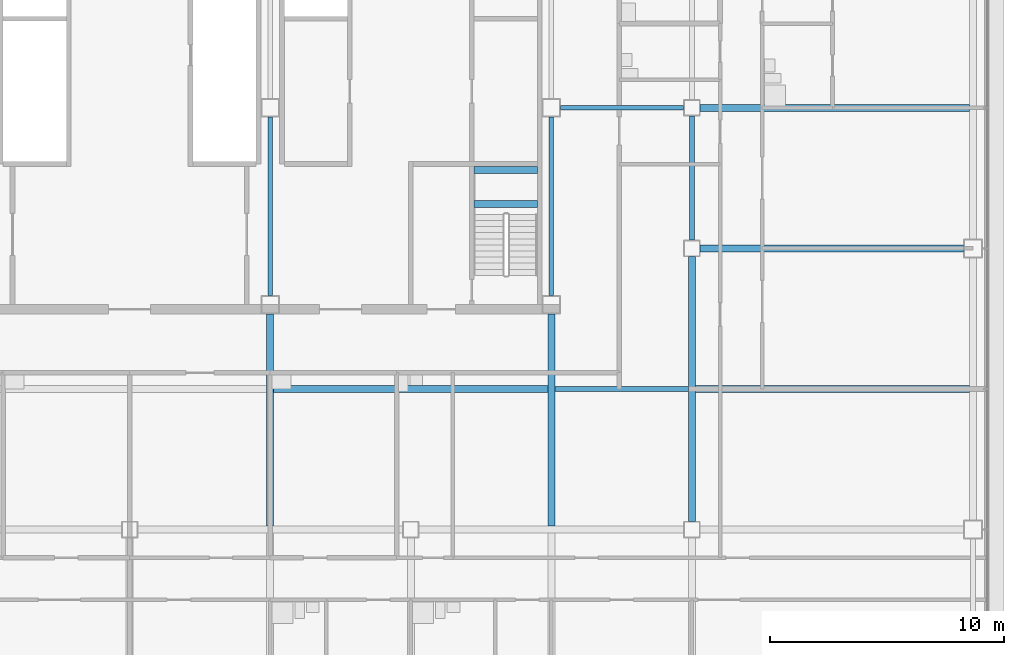
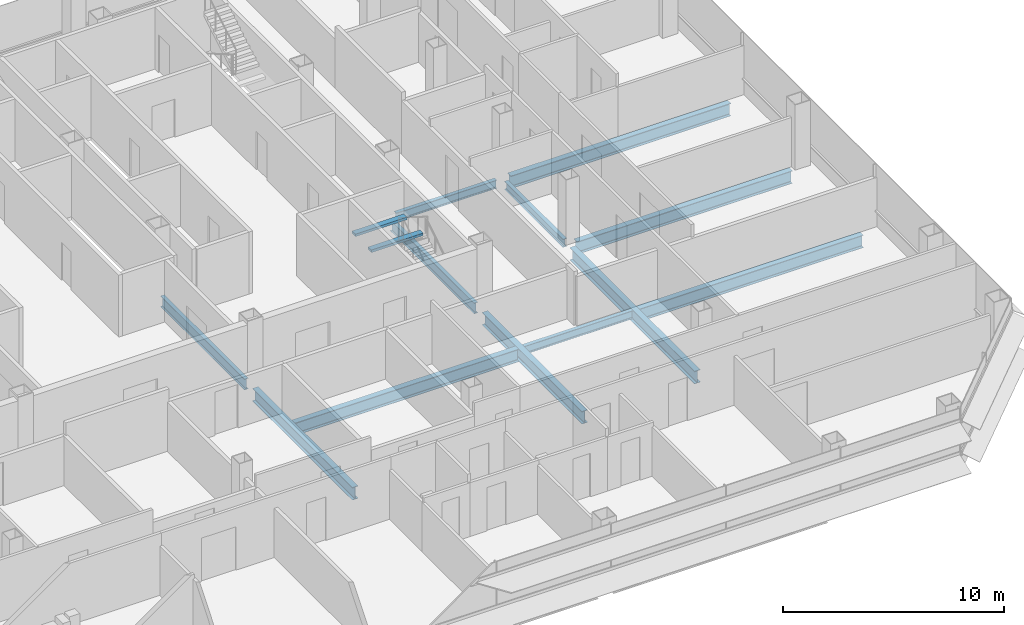
# One storey, part 10 of 25: 14 beams.
"""IFC4 building model written with IfcOpenShell, lengths in metres."""

import ifcopenshell
import ifcopenshell.guid

model = None  # the IFC model being written
_history = None  # IfcOwnerHistory: only IFC2X3 demands one
_inside = {}  # id of a spatial element -> (the spatial element, [elements in it])
_under = {}  # id of a project, library or spatial element -> (it, [spatial elements below it])
_declared = {}  # id of a project -> (the project, [libraries it declares])
_typed = {}  # id of a type object -> (the type object, [elements of that type])
_made_of = {}  # id of a material, layer set ... -> (it, [elements and type objects made of it])


def new_model(schema):
    """Start an empty IFC model of exactly this schema.

    Asked for "IFC4X3", IfcOpenShell would pick the latest addendum, in which some entities
    have other attributes; the version numbers below select the first issue.
    IFC2X3 requires an IfcOwnerHistory on every rooted entity: one is made here for all.
    """
    global model, _history
    if schema == "IFC4X3":
        model = ifcopenshell.file(schema_version=(4, 3, 0, 0))
    else:
        model = ifcopenshell.file(schema=schema)
    _inside.clear()
    _under.clear()
    _declared.clear()
    _typed.clear()
    _made_of.clear()
    _history = None
    if model.schema == "IFC2X3":
        org = make("IfcOrganization", Name="unknown")
        user = make(
            "IfcPersonAndOrganization",
            ThePerson=make("IfcPerson", FamilyName="unknown"),
            TheOrganization=org,
        )
        app = make(
            "IfcApplication",
            ApplicationDeveloper=org,
            Version="unknown",
            ApplicationFullName="unknown",
            ApplicationIdentifier="unknown",
        )
        _history = make(
            "IfcOwnerHistory",
            OwningUser=user,
            OwningApplication=app,
            ChangeAction="ADDED",
            CreationDate=0,
        )
    return model


def make(cls, **values):
    """One entity of the class cls with the attributes given. An attribute that is None is left unset."""
    return model.create_entity(
        cls, **{name: value for name, value in values.items() if value is not None}
    )


def rooted(cls, **values):
    """An entity with a GlobalId (a new one), such as an element, a storey or a relation."""
    return make(cls, GlobalId=ifcopenshell.guid.new(), OwnerHistory=_history, **values)


def si_unit(unit_type, name, prefix=None):
    """IfcSIUnit, for example si_unit("LENGTHUNIT", "METRE", prefix="MILLI")."""
    return make("IfcSIUnit", UnitType=unit_type, Prefix=prefix, Name=name)


def assignment(units):
    """IfcUnitAssignment: the units of a project."""
    return None if units is None else make("IfcUnitAssignment", Units=units)


def point(xyz):
    """IfcCartesianPoint."""
    return None if xyz is None else make("IfcCartesianPoint", Coordinates=xyz)


def direction(xyz):
    """IfcDirection."""
    return None if xyz is None else make("IfcDirection", DirectionRatios=xyz)


def frame(location, z_axis=None, x_axis=None):
    """IfcAxis2Placement3D, a coordinate frame: its origin and axes. An axis left out is left unset."""
    return make(
        "IfcAxis2Placement3D",
        Location=point(location),
        Axis=direction(z_axis),
        RefDirection=direction(x_axis),
    )


def frame_2d(location, x_axis=None):
    """IfcAxis2Placement2D, a coordinate frame in the plane: its origin and x axis."""
    return make(
        "IfcAxis2Placement2D", Location=point(location), RefDirection=direction(x_axis)
    )


def origin():
    """The frame at (0, 0, 0) with its axes left unset."""
    return frame((0.0, 0.0, 0.0))


def origin_2d():
    """The frame at (0, 0) in the plane with its x axis left unset."""
    return frame_2d((0.0, 0.0))


def place(relative_to, where):
    """IfcLocalPlacement: puts the frame where relative to a parent placement (None: the world)."""
    return make(
        "IfcLocalPlacement", PlacementRelTo=relative_to, RelativePlacement=where
    )


def context(
    kind, dimensions, precision=None, world=None, true_north=None, identifier=None
):
    """IfcGeometricRepresentationContext, for example the 3D "Model" context."""
    return make(
        "IfcGeometricRepresentationContext",
        ContextIdentifier=identifier,
        ContextType=kind,
        CoordinateSpaceDimension=dimensions,
        Precision=precision,
        WorldCoordinateSystem=world,
        TrueNorth=true_north,
    )


def subcontext(parent, identifier, kind, view, scale=None):
    """IfcGeometricRepresentationSubContext, for example "Body" below "Model"."""
    return make(
        "IfcGeometricRepresentationSubContext",
        ContextIdentifier=identifier,
        ContextType=kind,
        ParentContext=parent,
        TargetScale=scale,
        TargetView=view,
    )


def project(units=None, contexts=None):
    """IfcProject with its units and contexts."""
    return rooted(
        "IfcProject",
        Name="project",
        RepresentationContexts=contexts,
        UnitsInContext=assignment(units),
    )


def spatial(cls, under=None, at=None, **own):
    """A site, building, storey or space (cls), placed at a placement, below another one or the project."""
    s = rooted(cls, ObjectPlacement=at, **own)
    if under is not None:
        _under.setdefault(under.id(), (under, []))[1].append(s)
    return s


def profile(cls, at=None, kind="AREA", **sizes):
    """A parametric profile (cls). Its sizes go by their IFC names, for example OverallWidth=200.0."""
    return make(cls, ProfileType=kind, Position=at, **sizes)


def rectangle(**sizes):
    """IfcRectangleProfileDef."""
    return profile("IfcRectangleProfileDef", **sizes)


def i_section(**sizes):
    """IfcIShapeProfileDef."""
    return profile("IfcIShapeProfileDef", **sizes)


def extrude(swept, where, along, depth):
    """IfcExtrudedAreaSolid: the profile swept, set in the frame where, extruded along a direction by depth."""
    return make(
        "IfcExtrudedAreaSolid",
        SweptArea=swept,
        Position=where,
        ExtrudedDirection=direction(along),
        Depth=depth,
    )


def shape(context_of_items, identifier, shape_type, items):
    """IfcShapeRepresentation: the items that make up one representation, for example the "Body"."""
    return make(
        "IfcShapeRepresentation",
        ContextOfItems=context_of_items,
        RepresentationIdentifier=identifier,
        RepresentationType=shape_type,
        Items=items,
    )


def material(Name=None, Category=None):
    """IfcMaterial."""
    return make("IfcMaterial", Name=Name, Category=Category)


def material_profile(
    of_material, cross_section, Name=None, Category=None, Priority=None
):
    """IfcMaterialProfile: a cross section and its material."""
    return make(
        "IfcMaterialProfile",
        Name=Name,
        Material=of_material,
        Profile=cross_section,
        Priority=Priority,
        Category=Category,
    )


def profile_set(profiles, Name=None, composite=None):
    """IfcMaterialProfileSet."""
    return make(
        "IfcMaterialProfileSet",
        Name=Name,
        MaterialProfiles=profiles,
        CompositeProfile=composite,
    )


def made_of(thing, what):
    """Note that an element or type object is made of a material, layer set ...; save() writes the relation."""
    if what is not None:
        _made_of.setdefault(what.id(), (what, []))[1].append(thing)
    return thing


def type_object(cls, material=None, **own):
    """A type object (cls), such as IfcWallType, which elements share."""
    return made_of(rooted(cls, **own), material)


def element(
    cls,
    number,
    at=None,
    inside=None,
    cuts=None,
    type_object=None,
    material=None,
    context=None,
    identifier="Body",
    shape_type=None,
    held_by="IfcProductDefinitionShape",
    body=None,
    shapes=None,
    **own,
):
    """One element of the class cls, such as IfcWall. Its Tag is "e" and its number.

    at: its placement. inside: the storey or other place that contains it. cuts: it is an
    opening in that element (IfcRelVoidsElement). A single representation is given by context,
    identifier, shape_type and body (its items); several are given by shapes. held_by: the class
    of the entity that holds the representations. save() writes the other relations.
    """
    e = rooted(cls, Tag="e%d" % number, ObjectPlacement=at, **own)
    if body is not None:
        shapes = [shape(context, identifier, shape_type, body)]
    if shapes is not None:
        e.Representation = make(held_by, Representations=shapes)
    if inside is not None:
        _inside.setdefault(inside.id(), (inside, []))[1].append(e)
    if cuts is not None:
        rooted(
            "IfcRelVoidsElement", RelatingBuildingElement=cuts, RelatedOpeningElement=e
        )
    if type_object is not None:
        _typed.setdefault(type_object.id(), (type_object, []))[1].append(e)
    return made_of(e, material)


def aggregate(whole, parts):
    """IfcRelAggregates: a whole, such as a stair, and the parts it consists of."""
    return rooted("IfcRelAggregates", RelatingObject=whole, RelatedObjects=parts)


def save(model, path):
    """Write the relations noted so far, then the file.

    IfcRelAggregates (storeys below a building ...), IfcRelContainedInSpatialStructure (elements
    in a storey), IfcRelDefinesByType, IfcRelAssociatesMaterial and IfcRelDeclares: one each for
    every whole, place, type object, material and project.
    """
    for whole, parts in _under.values():
        aggregate(whole, parts)
    for where, things in _inside.values():
        rooted(
            "IfcRelContainedInSpatialStructure",
            RelatedElements=things,
            RelatingStructure=where,
        )
    for kind, things in _typed.values():
        rooted("IfcRelDefinesByType", RelatedObjects=things, RelatingType=kind)
    for what, things in _made_of.values():
        rooted("IfcRelAssociatesMaterial", RelatedObjects=things, RelatingMaterial=what)
    for by, libraries in _declared.values():
        rooted("IfcRelDeclares", RelatingContext=by, RelatedDefinitions=libraries)
    model.write(path)


model = new_model("IFC4")

# Units and contexts
model_context = context("Model", 3, precision=1e-05, world=origin(), true_north=direction((0.0, 1.0)))
body_context = subcontext(model_context, "Body", "Model", "MODEL_VIEW")
ifc_project = project(units=[si_unit("LENGTHUNIT", "METRE"), si_unit("AREAUNIT", "SQUARE_METRE"), si_unit("VOLUMEUNIT", "CUBIC_METRE"), si_unit("PLANEANGLEUNIT", "RADIAN"), si_unit("MASSUNIT", "GRAM", prefix="KILO")], contexts=[model_context])

# Site, building, storey
site_placement = place(None, origin())
site = spatial("IfcSite", under=ifc_project, at=site_placement, CompositionType="ELEMENT")
building_placement = place(site_placement, origin())
building = spatial("IfcBuilding", under=site, at=building_placement, Name="Sorahane Residences", CompositionType="ELEMENT")
storey_placement = place(building_placement, frame((0.0, 0.0, 126.800048828125)))
storey = spatial("IfcBuildingStorey", under=building, at=storey_placement, Name="L28", CompositionType="ELEMENT", Elevation=126.800048828125)

# Beams
ifc_material_1 = material(Name="Concrete C40", Category="concrete")
ifc_material_profile_1 = material_profile(ifc_material_1, rectangle(XDim=0.300048828125, YDim=0.139892578125, at=origin_2d()), Name="300x140")
ifc_profile_set_1 = profile_set([ifc_material_profile_1], Name="Concrete C40")
beam_type_1 = type_object("IfcBeamType", Name="RC landing beam 300 x 140 Concrete C40", PredefinedType="BEAM", material=ifc_profile_set_1)
for number, where, z_axis, x_axis, name in (
    (1, (38.699951171875, 25.89990234375, 1.530029296875), (1.0, 0.0, 0.0), (0.0, 1.0, 0.0), "Landing beam"),
    (2, (38.699951171875, 27.35009765625, 1.530029296875), (1.0, 0.0, 0.0), (0.0, 1.0, 0.0), "Landing beam"),
):
    element("IfcBeam", number, at=place(storey_placement, frame(where, z_axis=z_axis, x_axis=x_axis)), inside=storey, type_object=beam_type_1, Name=name, PredefinedType="BEAM", context=body_context, shape_type="SweptSolid", body=[
        extrude(rectangle(XDim=0.300048828125, YDim=0.139892578125, at=origin_2d()), origin(), (0.0, 0.0, 1.0), 2.699951171875),
    ])
ifc_material_2 = material(Name="Steel Q355B", Category="steel")
ifc_material_profile_2 = material_profile(ifc_material_2, i_section(OverallWidth=0.199951171875, OverallDepth=0.449951171875, WebThickness=0.009033203125, FlangeThickness=0.013916015625, FilletRadius=0.02001953125, at=origin_2d()), Name="HN 450x200x9x14")
ifc_profile_set_2 = profile_set([ifc_material_profile_2], Name="Steel Q355B")
beam_type_2 = type_object("IfcBeamType", Name="Steel floor beam HN 450x200x9x14 Q355B", PredefinedType="BEAM", material=ifc_profile_set_2)
beam_1_placement = place(storey_placement, frame((48.0, 24.35009765625, -0.405029296875), z_axis=(0.0, 1.0, 0.0), x_axis=(-1.0, 0.0, 0.0)))
element("IfcBeam", 3, at=beam_1_placement, inside=storey, type_object=beam_type_2, Name="Beam L28 060", PredefinedType="BEAM", context=body_context, shape_type="SweptSolid", body=[
    extrude(i_section(OverallWidth=0.199951171875, OverallDepth=0.449951171875, WebThickness=0.009033203125, FlangeThickness=0.013916015625, FilletRadius=0.02001953125, at=origin_2d()), origin(), (0.0, 0.0, 1.0), 5.2998046875),
])
beam_2_placement = place(storey_placement, frame((42.14990234375, 18.0, -0.405029296875), z_axis=(1.0, 0.0, 0.0), x_axis=(0.0, 1.0, 0.0)))
element("IfcBeam", 4, at=beam_2_placement, inside=storey, type_object=beam_type_2, Name="Beam L28 083", PredefinedType="BEAM", context=body_context, shape_type="SweptSolid", body=[
    extrude(i_section(OverallWidth=0.199951171875, OverallDepth=0.449951171875, WebThickness=0.009033203125, FlangeThickness=0.013916015625, FilletRadius=0.02001953125, at=origin_2d()), origin(), (0.0, 0.0, 1.0), 5.7001953125),
])
beam_3_placement = place(storey_placement, frame((42.39990234375, 30.0, -0.405029296875), z_axis=(1.0, 0.0, 0.0), x_axis=(0.0, 1.0, 0.0)))
element("IfcBeam", 5, at=beam_3_placement, inside=storey, type_object=beam_type_2, Name="Beam L28 087", PredefinedType="BEAM", context=body_context, shape_type="SweptSolid", body=[
    extrude(i_section(OverallWidth=0.199951171875, OverallDepth=0.449951171875, WebThickness=0.009033203125, FlangeThickness=0.013916015625, FilletRadius=0.02001953125, at=origin_2d()), origin(), (0.0, 0.0, 1.0), 5.25),
])
ifc_material_3 = material(Name="Steel Q355B", Category="steel")
ifc_material_profile_3 = material_profile(ifc_material_3, i_section(OverallWidth=0.199951171875, OverallDepth=0.60009765625, WebThickness=0.010986328125, FlangeThickness=0.01708984375, FilletRadius=0.02392578125, at=origin_2d()), Name="HN 600x200x11x17")
ifc_profile_set_3 = profile_set([ifc_material_profile_3], Name="Steel Q355B")
beam_type_3 = type_object("IfcBeamType", Name="Steel floor beam HN 600x200x11x17 Q355B", PredefinedType="BEAM", material=ifc_profile_set_3)
for number, where, z_axis, x_axis, name in (
    (6, (30.0, 22.0, -0.47998046875), (0.0, 1.0, 0.0), (-1.0, 0.0, 0.0), "Beam L28 046"),
    (7, (42.0, 22.0, -0.47998046875), (0.0, 1.0, 0.0), (-1.0, 0.0, 0.0), "Beam L28 054"),
):
    element("IfcBeam", number, at=place(storey_placement, frame(where, z_axis=z_axis, x_axis=x_axis)), inside=storey, type_object=beam_type_3, Name=name, PredefinedType="BEAM", context=body_context, shape_type="SweptSolid", body=[
        extrude(i_section(OverallWidth=0.199951171875, OverallDepth=0.60009765625, WebThickness=0.010986328125, FlangeThickness=0.01708984375, FilletRadius=0.02392578125, at=origin_2d()), origin(), (0.0, 0.0, 1.0), 7.60009765625),
    ])
ifc_material_4 = material(Name="Steel Q355B", Category="steel")
ifc_material_profile_4 = material_profile(ifc_material_4, i_section(OverallWidth=0.300048828125, OverallDepth=0.699951171875, WebThickness=0.012939453125, FlangeThickness=0.02392578125, FilletRadius=0.028076171875, at=origin_2d()), Name="HN 700x300x13x24")
ifc_profile_set_4 = profile_set([ifc_material_profile_4], Name="Steel Q355B")
beam_type_4 = type_object("IfcBeamType", Name="Steel floor beam HN 700x300x13x24 Q355B", PredefinedType="BEAM", material=ifc_profile_set_4)
beam_4_placement = place(storey_placement, frame((48.35009765625, 24.0, -0.530029296875), z_axis=(1.0, 0.0, 0.0), x_axis=(0.0, 1.0, 0.0)))
element("IfcBeam", 8, at=beam_4_placement, inside=storey, type_object=beam_type_4, Name="Beam L28 012", PredefinedType="BEAM", context=body_context, shape_type="SweptSolid", body=[
    extrude(i_section(OverallWidth=0.300048828125, OverallDepth=0.699951171875, WebThickness=0.012939453125, FlangeThickness=0.02392578125, FilletRadius=0.028076171875, at=origin_2d()), origin(), (0.0, 0.0, 1.0), 11.25),
])
for number, where, z_axis, x_axis, name in (
    (9, (30.0, 12.14990234375, -0.530029296875), (0.0, 1.0, 0.0), (-1.0, 0.0, 0.0), "Beam L28 045"),
    (10, (42.0, 12.14990234375, -0.530029296875), (0.0, 1.0, 0.0), (-1.0, 0.0, 0.0), "Beam L28 053"),
):
    element("IfcBeam", number, at=place(storey_placement, frame(where, z_axis=z_axis, x_axis=x_axis)), inside=storey, type_object=beam_type_4, Name=name, PredefinedType="BEAM", context=body_context, shape_type="SweptSolid", body=[
        extrude(i_section(OverallWidth=0.300048828125, OverallDepth=0.699951171875, WebThickness=0.012939453125, FlangeThickness=0.02392578125, FilletRadius=0.028076171875, at=origin_2d()), origin(), (0.0, 0.0, 1.0), 9.050048828125),
    ])
beam_5_placement = place(storey_placement, frame((48.0, 12.35009765625, -0.530029296875), z_axis=(0.0, 1.0, 0.0), x_axis=(-1.0, 0.0, 0.0)))
element("IfcBeam", 11, at=beam_5_placement, inside=storey, type_object=beam_type_4, Name="Beam L28 059", PredefinedType="BEAM", context=body_context, shape_type="SweptSolid", body=[
    extrude(i_section(OverallWidth=0.300048828125, OverallDepth=0.699951171875, WebThickness=0.012939453125, FlangeThickness=0.02392578125, FilletRadius=0.028076171875, at=origin_2d()), origin(), (0.0, 0.0, 1.0), 11.2998046875),
])
for number, where, z_axis, x_axis, name in (
    (12, (30.14990234375, 18.0, -0.530029296875), (1.0, 0.0, 0.0), (0.0, 1.0, 0.0), "Beam L28 082"),
    (13, (48.14990234375, 18.0, -0.530029296875), (1.0, 0.0, 0.0), (0.0, 1.0, 0.0), "Beam L28 084"),
):
    element("IfcBeam", number, at=place(storey_placement, frame(where, z_axis=z_axis, x_axis=x_axis)), inside=storey, type_object=beam_type_4, Name=name, PredefinedType="BEAM", context=body_context, shape_type="SweptSolid", body=[
        extrude(i_section(OverallWidth=0.300048828125, OverallDepth=0.699951171875, WebThickness=0.012939453125, FlangeThickness=0.02392578125, FilletRadius=0.028076171875, at=origin_2d()), origin(), (0.0, 0.0, 1.0), 11.7001953125),
    ])
beam_6_placement = place(storey_placement, frame((48.35009765625, 30.0, -0.530029296875), z_axis=(1.0, 0.0, 0.0), x_axis=(0.0, 1.0, 0.0)))
element("IfcBeam", 14, at=beam_6_placement, inside=storey, type_object=beam_type_4, Name="Beam L28 088", PredefinedType="BEAM", context=body_context, shape_type="SweptSolid", body=[
    extrude(i_section(OverallWidth=0.300048828125, OverallDepth=0.699951171875, WebThickness=0.012939453125, FlangeThickness=0.02392578125, FilletRadius=0.028076171875, at=origin_2d()), origin(), (0.0, 0.0, 1.0), 11.5),
])

save(model, "model.ifc")
